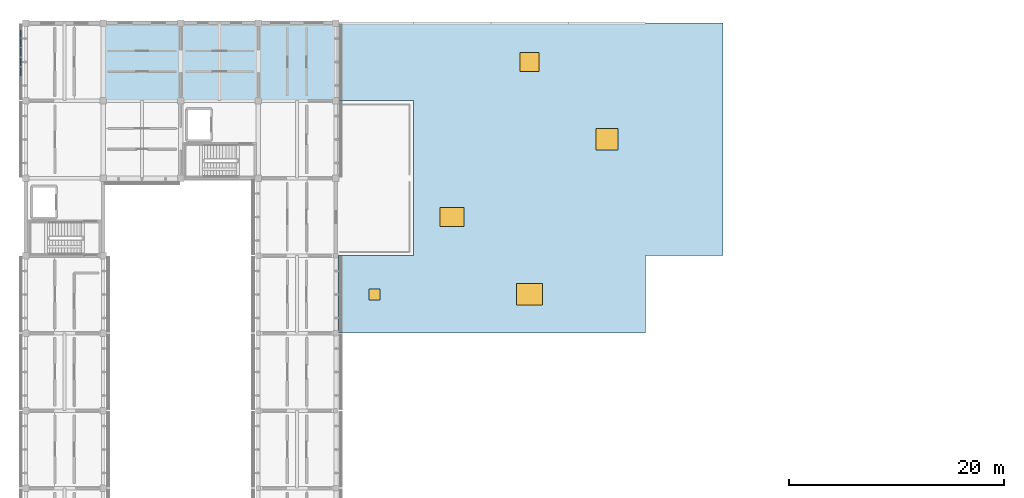
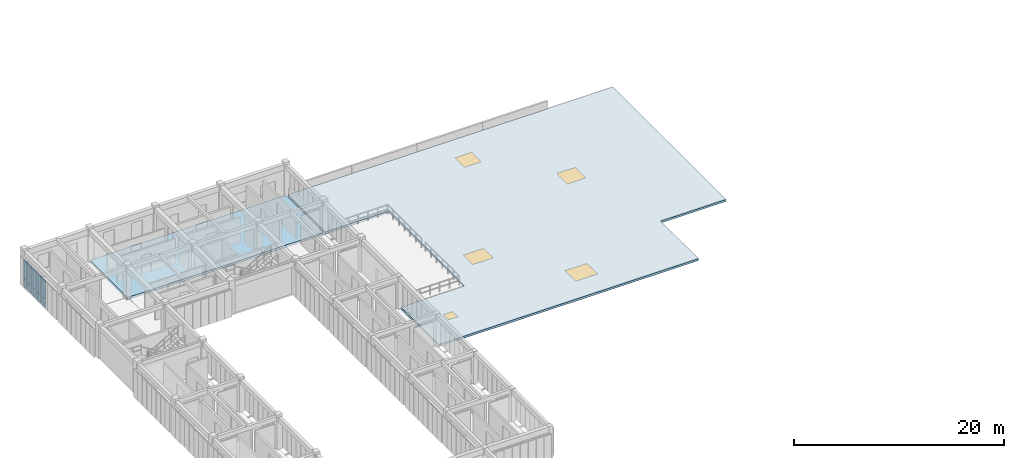
# One storey, part 43 of 67: 10 plates, 4 windows, 2 slabs, 1 door, 5 openings, 1 element without a shape of its own.
"""IFC4 building model written with IfcOpenShell, lengths in metres."""

from ifc_helpers import new_model, si_unit, direction, frame, origin, origin_2d, place, context, subcontext, project, spatial, polyline, rectangle, outline, extrude, material, layer, layer_set, type_object, element, fill, aggregate, save


model = new_model("IFC4")

# Units and contexts
model_context = context("Model", 3, precision=1e-05, world=origin(), true_north=direction((0.0, 1.0)))
body_context = subcontext(model_context, "Body", "Model", "MODEL_VIEW")
ifc_project = project(units=[si_unit("LENGTHUNIT", "METRE"), si_unit("AREAUNIT", "SQUARE_METRE"), si_unit("VOLUMEUNIT", "CUBIC_METRE"), si_unit("PLANEANGLEUNIT", "RADIAN"), si_unit("MASSUNIT", "GRAM", prefix="KILO")], contexts=[model_context])

# Site, building, storey
site_placement = place(None, origin())
site = spatial("IfcSite", under=ifc_project, at=site_placement, CompositionType="ELEMENT")
building_placement = place(site_placement, origin())
building = spatial("IfcBuilding", under=site, at=building_placement, Name="Aldebral Square Health Centre", CompositionType="ELEMENT")
storey_placement = place(building_placement, frame((0.0, 0.0, 13.5)))
storey = spatial("IfcBuildingStorey", under=building, at=storey_placement, Name="L03", CompositionType="ELEMENT", Elevation=13.5)

# Curtain wall, plates
ifc_material_1 = material(Name="Aluminium and low-E solar glass", Category="aluminium")
curtain_wall_type = type_object("IfcCurtainWallType", Name="CW-FIN-SYS", PredefinedType="USERDEFINED", material=ifc_material_1)
curtain_wall_placement = place(storey_placement, origin())
curtain_wall = element("IfcCurtainWall", 1, at=curtain_wall_placement, inside=storey, type_object=curtain_wall_type, Name="L03 V4 finned curtain wall L03-V4-00-15-W", ObjectType="SOLAR_CURTAIN_WALL", PredefinedType="USERDEFINED")
ifc_material_2 = material(Name="Solar-control low-E double glass", Category="glass")
ifc_layer_1 = layer(ifc_material_2, 0.090087890625, Name="Solar-control low-E double glass", Category="glass")
ifc_layer_set_1 = layer_set([ifc_layer_1], Name="Solar-control low-E double glass")
plate_type = type_object("IfcPlateType", Name="CWP-GLZ-8", PredefinedType="CURTAIN_PANEL", material=ifc_layer_set_1)
plate_1_placement = place(storey_placement, frame((-0.4599609375, 114.234375, 0.074951171875), z_axis=(0.0, 0.0, 1.0), x_axis=(0.0, -1.0, 0.0)))
plate_1 = element("IfcPlate", 2, at=plate_1_placement, type_object=plate_type, Name="CW1 panel 1.1", PredefinedType="CURTAIN_PANEL", context=body_context, shape_type="SweptSolid", body=[
    extrude(rectangle(XDim=0.6513671875, YDim=0.090087890625, at=origin_2d()), origin(), (0.0, 0.0, 1.0), 0.9375),
])
plate_2_placement = place(storey_placement, frame((-0.4599609375, 114.234375, 1.08740234375), z_axis=(0.0, 0.0, 1.0), x_axis=(0.0, -1.0, 0.0)))
plate_2 = element("IfcPlate", 3, at=plate_2_placement, type_object=plate_type, Name="CW1 panel 1.2", PredefinedType="CURTAIN_PANEL", context=body_context, shape_type="SweptSolid", body=[
    extrude(rectangle(XDim=0.6513671875, YDim=0.090087890625, at=origin_2d()), origin(), (0.0, 0.0, 1.0), 2.077392578125),
])
plate_3_placement = place(storey_placement, frame((-0.4599609375, 113.3828125, 0.074951171875), z_axis=(0.0, 0.0, 1.0), x_axis=(0.0, -1.0, 0.0)))
plate_3 = element("IfcPlate", 4, at=plate_3_placement, type_object=plate_type, Name="CW1 panel 2.1", PredefinedType="CURTAIN_PANEL", context=body_context, shape_type="SweptSolid", body=[
    extrude(rectangle(XDim=0.7314453125, YDim=0.090087890625, at=origin_2d()), origin(), (0.0, 0.0, 1.0), 0.9375),
])
plate_4_placement = place(storey_placement, frame((-0.4599609375, 113.3828125, 1.08740234375), z_axis=(0.0, 0.0, 1.0), x_axis=(0.0, -1.0, 0.0)))
plate_4 = element("IfcPlate", 5, at=plate_4_placement, type_object=plate_type, Name="CW1 panel 2.2", PredefinedType="CURTAIN_PANEL", context=body_context, shape_type="SweptSolid", body=[
    extrude(rectangle(XDim=0.7314453125, YDim=0.090087890625, at=origin_2d()), origin(), (0.0, 0.0, 1.0), 2.077392578125),
])
plate_5_placement = place(storey_placement, frame((-0.4599609375, 112.491455078125, 0.074951171875), z_axis=(0.0, 0.0, 1.0), x_axis=(0.0, -1.0, 0.0)))
plate_5 = element("IfcPlate", 6, at=plate_5_placement, type_object=plate_type, Name="CW1 panel 3.1", PredefinedType="CURTAIN_PANEL", context=body_context, shape_type="SweptSolid", body=[
    extrude(rectangle(XDim=0.7314453125, YDim=0.090087890625, at=origin_2d()), origin(), (0.0, 0.0, 1.0), 0.9375),
])
plate_6_placement = place(storey_placement, frame((-0.4599609375, 112.491455078125, 1.08740234375), z_axis=(0.0, 0.0, 1.0), x_axis=(0.0, -1.0, 0.0)))
plate_6 = element("IfcPlate", 7, at=plate_6_placement, type_object=plate_type, Name="CW1 panel 3.2", PredefinedType="CURTAIN_PANEL", context=body_context, shape_type="SweptSolid", body=[
    extrude(rectangle(XDim=0.7314453125, YDim=0.090087890625, at=origin_2d()), origin(), (0.0, 0.0, 1.0), 2.077392578125),
])
plate_7_placement = place(storey_placement, frame((-0.4599609375, 111.60009765625, 0.074951171875), z_axis=(0.0, 0.0, 1.0), x_axis=(0.0, -1.0, 0.0)))
plate_7 = element("IfcPlate", 8, at=plate_7_placement, type_object=plate_type, Name="CW1 panel 4.1", PredefinedType="CURTAIN_PANEL", context=body_context, shape_type="SweptSolid", body=[
    extrude(rectangle(XDim=0.7314453125, YDim=0.090087890625, at=origin_2d()), origin(), (0.0, 0.0, 1.0), 0.9375),
])
plate_8_placement = place(storey_placement, frame((-0.4599609375, 111.60009765625, 1.08740234375), z_axis=(0.0, 0.0, 1.0), x_axis=(0.0, -1.0, 0.0)))
plate_8 = element("IfcPlate", 9, at=plate_8_placement, type_object=plate_type, Name="CW1 panel 4.2", PredefinedType="CURTAIN_PANEL", context=body_context, shape_type="SweptSolid", body=[
    extrude(rectangle(XDim=0.7314453125, YDim=0.090087890625, at=origin_2d()), origin(), (0.0, 0.0, 1.0), 2.077392578125),
])
plate_9_placement = place(storey_placement, frame((-0.4599609375, 110.70849609375, 0.074951171875), z_axis=(0.0, 0.0, 1.0), x_axis=(0.0, -1.0, 0.0)))
plate_9 = element("IfcPlate", 10, at=plate_9_placement, type_object=plate_type, Name="CW1 panel 5.1", PredefinedType="CURTAIN_PANEL", context=body_context, shape_type="SweptSolid", body=[
    extrude(rectangle(XDim=0.7314453125, YDim=0.090087890625, at=origin_2d()), origin(), (0.0, 0.0, 1.0), 0.9375),
])
plate_10_placement = place(storey_placement, frame((-0.4599609375, 110.70849609375, 1.08740234375), z_axis=(0.0, 0.0, 1.0), x_axis=(0.0, -1.0, 0.0)))
plate_10 = element("IfcPlate", 11, at=plate_10_placement, type_object=plate_type, Name="CW1 panel 5.2", PredefinedType="CURTAIN_PANEL", context=body_context, shape_type="SweptSolid", body=[
    extrude(rectangle(XDim=0.7314453125, YDim=0.090087890625, at=origin_2d()), origin(), (0.0, 0.0, 1.0), 2.077392578125),
])
aggregate(curtain_wall, [plate_1, plate_2, plate_3, plate_4, plate_5, plate_6, plate_7, plate_8, plate_9, plate_10])

# Slab
ifc_material_3 = material(Name="Concrete C35/45", Category="concrete")
ifc_layer_2 = layer(ifc_material_3, 0.260009765625, Name="Concrete C35/45", Category="concrete")
ifc_layer_set_2 = layer_set([ifc_layer_2], Name="Concrete C35/45")
slab_type_1 = type_object("IfcSlabType", Name="SL-FLR-260", PredefinedType="FLOOR", material=ifc_layer_set_2)
slab_1_placement = place(storey_placement, frame((0.0, 0.0, -0.260009765625)))
element("IfcSlab", 12, at=slab_1_placement, inside=storey, type_object=slab_type_1, Name="L03 V4 floor slab 5", PredefinedType="FLOOR", context=body_context, shape_type="SweptSolid", body=[
    extrude(outline(polyline([(7.199951171875, 115.199951171875), (14.39990234375, 115.199951171875), (21.60009765625, 115.199951171875), (28.800048828125, 115.199951171875), (28.800048828125, 108.0), (21.60009765625, 108.0), (14.39990234375, 108.0), (7.199951171875, 108.0), (7.199951171875, 115.199951171875)])), origin(), (0.0, 0.0, 1.0), 0.260009765625),
])

# Slab, openings, door, windows
ifc_layer_3 = layer(ifc_material_3, 0.239990234375, Name="Concrete C35/45", Category="concrete")
ifc_layer_set_3 = layer_set([ifc_layer_3], Name="Concrete C35/45")
slab_type_2 = type_object("IfcSlabType", Name="SL-RF-240", PredefinedType="ROOF", material=ifc_layer_set_3)
slab_2_placement = place(storey_placement, frame((0.0, 0.0, -0.239990234375)))
slab_2 = element("IfcSlab", 13, at=slab_2_placement, inside=storey, type_object=slab_type_2, Name="L02 V2 roof slab 1", PredefinedType="ROOF", context=body_context, shape_type="SweptSolid", body=[
    extrude(outline(polyline([(36.0, 108.0), (29.02001953125, 108.0), (29.02001953125, 115.199951171875), (36.0, 115.199951171875), (43.199951171875, 115.199951171875), (50.39990234375, 115.199951171875), (57.60009765625, 115.199951171875), (64.800048828125, 115.199951171875), (64.800048828125, 108.0), (64.800048828125, 100.800048828125), (64.800048828125, 93.60009765625), (57.60009765625, 93.60009765625), (57.60009765625, 86.39990234375), (50.39990234375, 86.39990234375), (43.199951171875, 86.39990234375), (36.0, 86.39990234375), (29.02001953125, 86.39990234375), (29.02001953125, 93.60009765625), (36.0, 93.60009765625), (36.0, 100.800048828125), (36.0, 108.0)])), origin(), (0.0, 0.0, 1.0), 0.239990234375),
])
opening_1_placement = place(slab_2_placement, frame((32.39990234375, 90.0, -0.010009765625)))
opening_1 = element("IfcOpeningElement", 14, at=opening_1_placement, cuts=slab_2, Name="Opening D-0001", PredefinedType="OPENING", context=body_context, shape_type="SweptSolid", body=[
    extrude(rectangle(XDim=1.0, YDim=1.0, at=origin_2d()), origin(), (0.0, 0.0, 1.0), 0.260009765625),
])
opening_2_placement = place(slab_2_placement, frame((39.60009765625, 97.199951171875, -0.010009765625)))
opening_2 = element("IfcOpeningElement", 15, at=opening_2_placement, cuts=slab_2, Name="Opening SK03", PredefinedType="OPENING", context=body_context, shape_type="SweptSolid", body=[
    extrude(rectangle(XDim=2.199951171875, YDim=1.800048828125, at=origin_2d()), origin(), (0.0, 0.0, 1.0), 0.260009765625),
])
opening_3_placement = place(slab_2_placement, frame((46.800048828125, 90.0, -0.010009765625)))
opening_3 = element("IfcOpeningElement", 16, at=opening_3_placement, cuts=slab_2, Name="Opening SK04", PredefinedType="OPENING", context=body_context, shape_type="SweptSolid", body=[
    extrude(rectangle(XDim=2.39990234375, YDim=2.0, at=origin_2d()), origin(), (0.0, 0.0, 1.0), 0.260009765625),
])
opening_4_placement = place(slab_2_placement, frame((46.800048828125, 111.60009765625, -0.010009765625)))
opening_4 = element("IfcOpeningElement", 17, at=opening_4_placement, cuts=slab_2, Name="Opening SK01", PredefinedType="OPENING", context=body_context, shape_type="SweptSolid", body=[
    extrude(rectangle(XDim=1.800048828125, YDim=1.800048828125, at=origin_2d()), origin(), (0.0, 0.0, 1.0), 0.260009765625),
])
opening_5_placement = place(slab_2_placement, frame((54.0, 104.39990234375, -0.010009765625)))
opening_5 = element("IfcOpeningElement", 18, at=opening_5_placement, cuts=slab_2, Name="Opening SK02", PredefinedType="OPENING", context=body_context, shape_type="SweptSolid", body=[
    extrude(rectangle(XDim=2.0, YDim=2.0, at=origin_2d()), origin(), (0.0, 0.0, 1.0), 0.260009765625),
])
ifc_material_4 = material(Name="Galvanised steel", Category="steel")
door_type = type_object("IfcDoorType", Name="DR-HAT-100", OperationType="SINGLE_SWING_LEFT", PredefinedType="TRAPDOOR", material=ifc_material_4)
door_placement = place(slab_2_placement, frame((32.39990234375, 90.0, 0.18994140625)))
door = element("IfcDoor", 19, at=door_placement, inside=storey, type_object=door_type, Name="Roof maintenance hatch DH-02", OperationType="SINGLE_SWING_LEFT", OverallHeight=1.0, OverallWidth=1.0, PredefinedType="TRAPDOOR", context=body_context, shape_type="SweptSolid", body=[
    extrude(rectangle(XDim=1.0, YDim=1.0, at=origin_2d()), origin(), (0.0, 0.0, 1.0), 0.050048828125),
])
fill(opening_1, door)
ifc_material_5 = material(Name="Thermally broken skylight double glazing", Category="glass")
window_type_1 = type_object("IfcWindowType", Name="SKY-S01", PartitioningType="SINGLE_PANEL", PredefinedType="SKYLIGHT", material=ifc_material_5)
window_1_placement = place(slab_2_placement, frame((46.800048828125, 111.60009765625, 0.18994140625)))
window_1 = element("IfcWindow", 20, at=window_1_placement, inside=storey, type_object=window_type_1, Name="Clinical roof skylight SK-05", OverallHeight=1.800048828125, OverallWidth=1.800048828125, PartitioningType="SINGLE_PANEL", PredefinedType="SKYLIGHT", context=body_context, shape_type="SweptSolid", body=[
    extrude(rectangle(XDim=1.800048828125, YDim=1.800048828125, at=origin_2d()), origin(), (0.0, 0.0, 1.0), 0.050048828125),
])
fill(opening_4, window_1)
window_type_2 = type_object("IfcWindowType", Name="SKY-S02", PartitioningType="SINGLE_PANEL", PredefinedType="SKYLIGHT", material=ifc_material_5)
window_2_placement = place(slab_2_placement, frame((54.0, 104.39990234375, 0.18994140625)))
window_2 = element("IfcWindow", 21, at=window_2_placement, inside=storey, type_object=window_type_2, Name="Clinical roof skylight SK-06", OverallHeight=2.0, OverallWidth=2.0, PartitioningType="SINGLE_PANEL", PredefinedType="SKYLIGHT", context=body_context, shape_type="SweptSolid", body=[
    extrude(rectangle(XDim=2.0, YDim=2.0, at=origin_2d()), origin(), (0.0, 0.0, 1.0), 0.050048828125),
])
fill(opening_5, window_2)
window_type_3 = type_object("IfcWindowType", Name="SKY-S03", PartitioningType="SINGLE_PANEL", PredefinedType="SKYLIGHT", material=ifc_material_5)
window_3_placement = place(slab_2_placement, frame((39.60009765625, 97.199951171875, 0.18994140625)))
window_3 = element("IfcWindow", 22, at=window_3_placement, inside=storey, type_object=window_type_3, Name="Clinical roof skylight SK-03", OverallHeight=1.800048828125, OverallWidth=2.199951171875, PartitioningType="SINGLE_PANEL", PredefinedType="SKYLIGHT", context=body_context, shape_type="SweptSolid", body=[
    extrude(rectangle(XDim=2.199951171875, YDim=1.800048828125, at=origin_2d()), origin(), (0.0, 0.0, 1.0), 0.050048828125),
])
fill(opening_2, window_3)
window_type_4 = type_object("IfcWindowType", Name="SKY-S04", PartitioningType="SINGLE_PANEL", PredefinedType="SKYLIGHT", material=ifc_material_5)
window_4_placement = place(slab_2_placement, frame((46.800048828125, 90.0, 0.18994140625)))
window_4 = element("IfcWindow", 23, at=window_4_placement, inside=storey, type_object=window_type_4, Name="Clinical roof skylight SK-04", OverallHeight=2.0, OverallWidth=2.39990234375, PartitioningType="SINGLE_PANEL", PredefinedType="SKYLIGHT", context=body_context, shape_type="SweptSolid", body=[
    extrude(rectangle(XDim=2.39990234375, YDim=2.0, at=origin_2d()), origin(), (0.0, 0.0, 1.0), 0.050048828125),
])
fill(opening_3, window_4)

save(model, "model.ifc")
